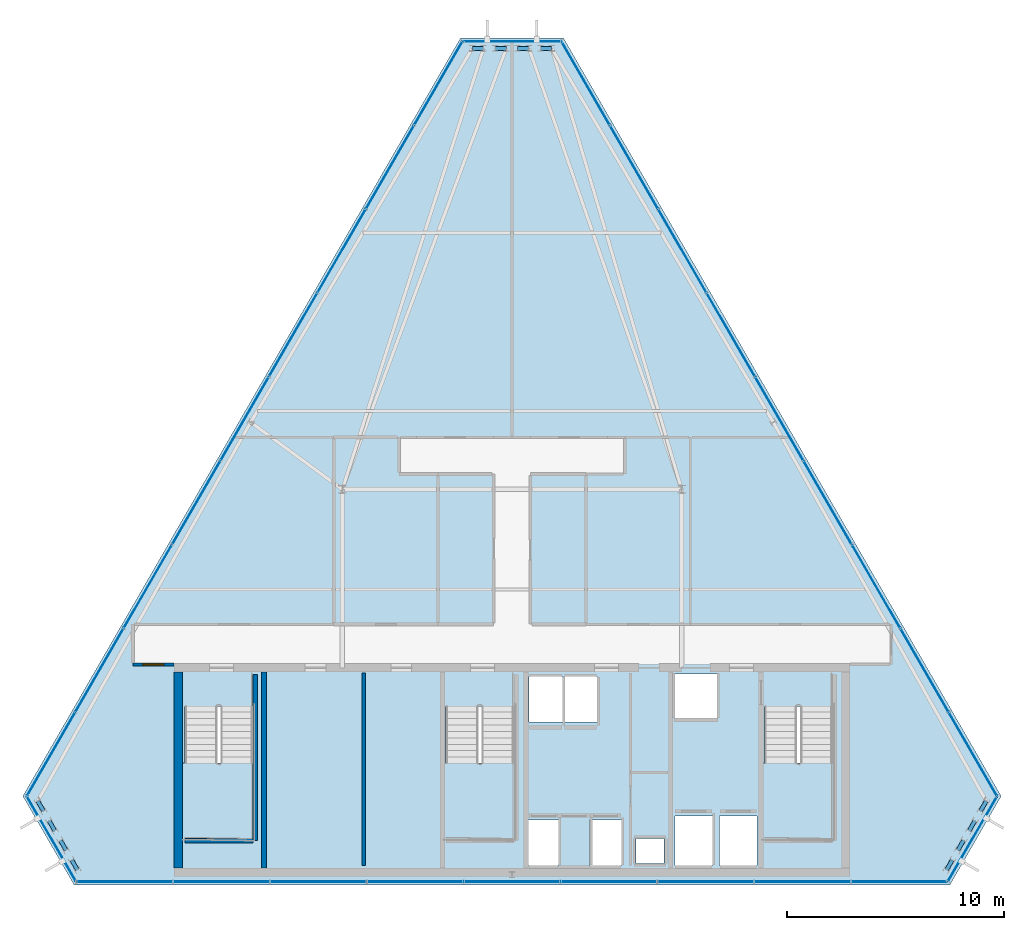
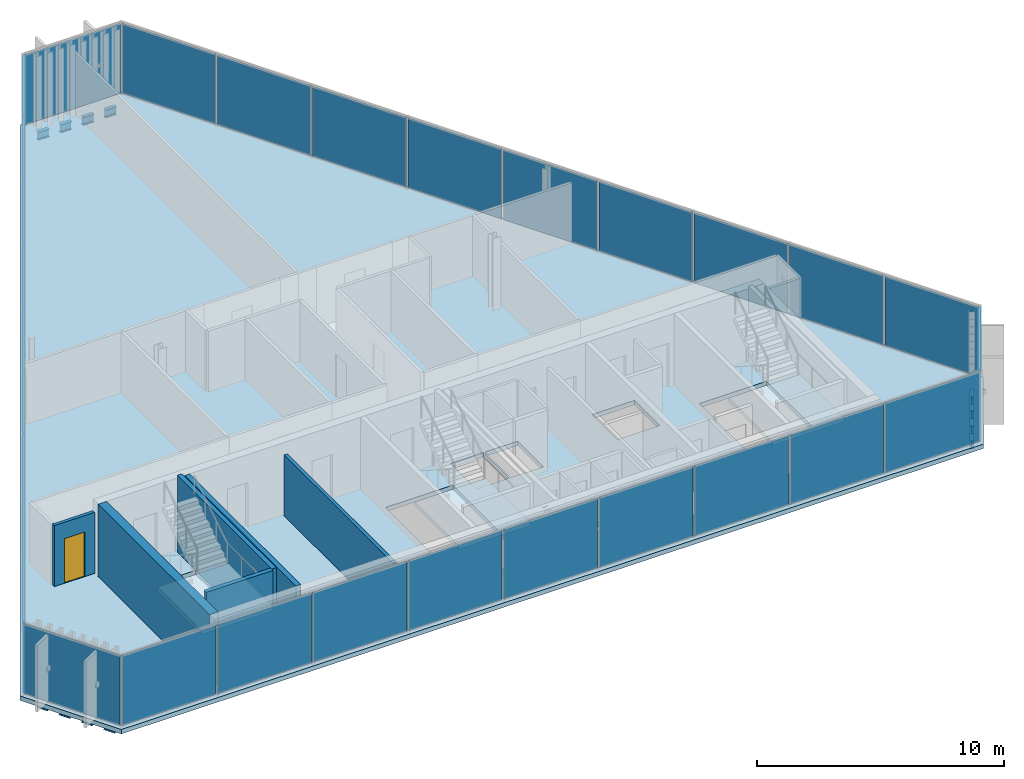
# One storey, part 26 of 32: 30 plates, 12 beams, 6 walls, 4 slabs, 1 door, 1 opening, 9 elements without a shape of their own.
"""IFC4 building model written with IfcOpenShell, lengths in metres."""

from ifc_helpers import new_model, si_unit, direction, frame, frame_2d, origin, origin_2d, place, context, subcontext, project, spatial, polyline, rectangle, i_section, outline, extrude, material, layer, layer_set, material_profile, profile_set, type_object, element, fill, aggregate, save


model = new_model("IFC4")

# Units and contexts
model_context = context("Model", 3, precision=1e-05, world=origin(), true_north=direction((0.0, 1.0)))
body_context = subcontext(model_context, "Body", "Model", "MODEL_VIEW")
ifc_project = project(units=[si_unit("LENGTHUNIT", "METRE"), si_unit("AREAUNIT", "SQUARE_METRE"), si_unit("VOLUMEUNIT", "CUBIC_METRE"), si_unit("PLANEANGLEUNIT", "RADIAN"), si_unit("MASSUNIT", "GRAM", prefix="KILO")], contexts=[model_context])

# Site, building, storey
site_placement = place(None, origin())
site = spatial("IfcSite", under=ifc_project, at=site_placement, CompositionType="ELEMENT")
building_placement = place(site_placement, origin())
building = spatial("IfcBuilding", under=site, at=building_placement, Name="Ndaravel Arena Tower", CompositionType="ELEMENT")
storey_placement = place(building_placement, frame((0.0, 0.0, 287.10009765625)))
storey = spatial("IfcBuildingStorey", under=building, at=storey_placement, Name="L70", CompositionType="ELEMENT", Elevation=287.10009765625)

# Beams
ifc_material_1 = material(Name="Steel S355", Category="steel")
ifc_material_profile = material_profile(ifc_material_1, i_section(OverallWidth=0.179931640625, OverallDepth=0.39990234375, WebThickness=0.008544921875, FlangeThickness=0.013427734375, FilletRadius=0.02099609375, at=origin_2d()), Name="IPE 400")
ifc_profile_set = profile_set([ifc_material_profile], Name="Steel S355")
beam_type = type_object("IfcBeamType", Name="BM-SPAN-IPE400", PredefinedType="SPANDREL", material=ifc_profile_set)
beam_1_placement = place(storey_placement, frame((61.98095703125, 5.7060546875, -0.420166015625), z_axis=(0.499762962979, 0.866162213927, 0.0), x_axis=(-0.866162213927, 0.499762962979, 0.0)))
element("IfcBeam", 1, at=beam_1_placement, inside=storey, type_object=beam_type, Name="L70 Perimeter Spandrel Beam SP-02", PredefinedType="SPANDREL", context=body_context, shape_type="SweptSolid", body=[
    extrude(i_section(OverallWidth=0.179931640625, OverallDepth=0.39990234375, WebThickness=0.008544921875, FlangeThickness=0.013427734375, FilletRadius=0.02099609375, at=origin_2d()), origin(), (0.0, 0.0, 1.0), 0.521728515625),
])
for number, where, z_axis, x_axis, name in (
    (2, (62.502685546875, 6.610107421875, -0.420166015625), (0.500113907867, 0.865959629058, 0.0), (-0.865959629058, 0.500113907867, 0.0), "L70 Perimeter Spandrel Beam SP-04"),
    (3, (63.024658203125, 7.513916015625, -0.420166015625), (0.500113907867, 0.865959629058, 0.0), (-0.865959629058, 0.500113907867, 0.0), "L70 Perimeter Spandrel Beam SP-06"),
    (4, (63.54638671875, 8.41796875, -0.420166015625), (0.500113907867, 0.865959629058, 0.0), (-0.865959629058, 0.500113907867, 0.0), "L70 Perimeter Spandrel Beam SP-08"),
    (5, (43.82666015625, 43.477783203125, -0.420166015625), (-1.0, 0.0, 0.0), (0.0, -1.0, 0.0), "L70 Perimeter Spandrel Beam SP-11"),
    (6, (42.782958984375, 43.477783203125, -0.420166015625), (-1.0, 0.0, 0.0), (0.0, -1.0, 0.0), "L70 Perimeter Spandrel Beam SP-13"),
    (7, (41.739013671875, 43.477783203125, -0.420166015625), (-1.0, 0.0, 0.0), (0.0, -1.0, 0.0), "L70 Perimeter Spandrel Beam SP-15"),
    (8, (40.6953125, 43.477783203125, -0.420166015625), (-1.0, 0.0, 0.0), (0.0, -1.0, 0.0), "L70 Perimeter Spandrel Beam SP-17"),
    (9, (20.192626953125, 8.869873046875, -0.420166015625), (0.500113907867, -0.865959629058, 0.0), (0.865959629058, 0.500113907867, 0.0), "L70 Perimeter Spandrel Beam SP-20"),
    (10, (20.71435546875, 7.9658203125, -0.420166015625), (0.500113907867, -0.865959629058, 0.0), (0.865959629058, 0.500113907867, 0.0), "L70 Perimeter Spandrel Beam SP-22"),
    (11, (21.236328125, 7.06201171875, -0.420166015625), (0.500113907867, -0.865959629058, 0.0), (0.865959629058, 0.500113907867, 0.0), "L70 Perimeter Spandrel Beam SP-24"),
):
    element("IfcBeam", number, at=place(storey_placement, frame(where, z_axis=z_axis, x_axis=x_axis)), inside=storey, type_object=beam_type, Name=name, PredefinedType="SPANDREL", context=body_context, shape_type="SweptSolid", body=[
        extrude(i_section(OverallWidth=0.179931640625, OverallDepth=0.39990234375, WebThickness=0.008544921875, FlangeThickness=0.013427734375, FilletRadius=0.02099609375, at=origin_2d()), origin(), (0.0, 0.0, 1.0), 0.52197265625),
    ])
beam_2_placement = place(storey_placement, frame((21.75830078125, 6.157958984375, -0.420166015625), z_axis=(0.499762962979, -0.866162213927, 0.0), x_axis=(0.866162213927, 0.499762962979, 0.0)))
element("IfcBeam", 12, at=beam_2_placement, inside=storey, type_object=beam_type, Name="L70 Perimeter Spandrel Beam SP-26", PredefinedType="SPANDREL", context=body_context, shape_type="SweptSolid", body=[
    extrude(i_section(OverallWidth=0.179931640625, OverallDepth=0.39990234375, WebThickness=0.008544921875, FlangeThickness=0.013427734375, FilletRadius=0.02099609375, at=origin_2d()), origin(), (0.0, 0.0, 1.0), 0.521728515625),
])

# Curtain wall, plate
ifc_material_2 = material(Name="Aluminium", Category="aluminium")
ifc_layer_1 = layer(ifc_material_2, 0.179931640625)
ifc_layer_set_1 = layer_set([ifc_layer_1], Name="Aluminium")
curtain_wall_type_1 = type_object("IfcCurtainWallType", Name="CW-SYS-01", PredefinedType="NOTDEFINED", material=ifc_layer_set_1)
curtain_wall_1_placement = place(storey_placement, origin())
curtain_wall_1 = element("IfcCurtainWall", 13, at=curtain_wall_1_placement, inside=storey, type_object=curtain_wall_type_1, Name="L70 Faceted Crystal Curtain Wall CW-L70-E02", PredefinedType="NOTDEFINED")
ifc_material_3 = material(Name="Glazing", Category="glass")
ifc_layer_2 = layer(ifc_material_3, 0.031982421875)
ifc_layer_set_2 = layer_set([ifc_layer_2], Name="Glazing")
plate_type_1 = type_object("IfcPlateType", Name="PLT-GLZ-FRIT35", PredefinedType="CURTAIN_PANEL", material=ifc_layer_set_2)
plate_1_placement = place(storey_placement, frame((63.17138671875, 7.1279296875, 0.059814453125), z_axis=(0.0, 0.0, 1.0), x_axis=(0.499984884929, 0.866034130299, 0.0)))
plate_1 = element("IfcPlate", 14, at=plate_1_placement, type_object=plate_type_1, Name="CW-L70-E02 Vision Glass Panel 01", PredefinedType="CURTAIN_PANEL", context=body_context, shape_type="SweptSolid", body=[
    extrude(rectangle(XDim=4.464599609375, YDim=0.035888671875, at=origin_2d()), origin(), (0.0, 0.0, 1.0), 3.4599609375),
])
aggregate(curtain_wall_1, [plate_1])

curtain_wall_2_placement = place(storey_placement, origin())
curtain_wall_2 = element("IfcCurtainWall", 15, at=curtain_wall_2_placement, inside=storey, type_object=curtain_wall_type_1, Name="L70 Faceted Crystal Curtain Wall CW-L70-E04", PredefinedType="NOTDEFINED")
plate_2_placement = place(storey_placement, frame((42.0, 43.797607421875, 0.059814453125), z_axis=(0.0, 0.0, 1.0), x_axis=(-1.0, 0.0, 0.0)))
plate_2 = element("IfcPlate", 16, at=plate_2_placement, type_object=plate_type_1, Name="CW-L70-E04 Vision Glass Panel 01", PredefinedType="CURTAIN_PANEL", context=body_context, shape_type="SweptSolid", body=[
    extrude(rectangle(XDim=4.46484375, YDim=0.035888671875, at=origin_2d()), origin(), (0.0, 0.0, 1.0), 3.4599609375),
])
aggregate(curtain_wall_2, [plate_2])

ifc_material_4 = material(Name="Aluminium", Category="aluminium")
ifc_layer_3 = layer(ifc_material_4, 0.179931640625)
ifc_layer_set_3 = layer_set([ifc_layer_3], Name="Aluminium")
curtain_wall_type_2 = type_object("IfcCurtainWallType", Name="CW-SYS-02", PredefinedType="NOTDEFINED", material=ifc_layer_set_3)
curtain_wall_3_placement = place(storey_placement, origin())
curtain_wall_3 = element("IfcCurtainWall", 17, at=curtain_wall_3_placement, inside=storey, type_object=curtain_wall_type_2, Name="L70 Faceted Crystal Curtain Wall CW-L70-E06", PredefinedType="NOTDEFINED")
ifc_material_5 = material(Name="Glazing", Category="glass")
ifc_layer_4 = layer(ifc_material_5, 0.035888671875)
ifc_layer_set_4 = layer_set([ifc_layer_4], Name="Glazing")
plate_type_2 = type_object("IfcPlateType", Name="PLT-GLZ-FRIT55", PredefinedType="CURTAIN_PANEL", material=ifc_layer_set_4)
plate_3_placement = place(storey_placement, frame((20.82861328125, 7.1279296875, 0.059814453125), z_axis=(0.0, 0.0, 1.0), x_axis=(0.499984884929, -0.866034130299, 0.0)))
plate_3 = element("IfcPlate", 18, at=plate_3_placement, type_object=plate_type_2, Name="CW-L70-E06 Vision Glass Panel 01", PredefinedType="CURTAIN_PANEL", context=body_context, shape_type="SweptSolid", body=[
    extrude(rectangle(XDim=4.464599609375, YDim=0.035888671875, at=origin_2d()), origin(), (0.0, 0.0, 1.0), 3.4599609375),
])
aggregate(curtain_wall_3, [plate_3])

# Curtain wall, plates
ifc_material_6 = material(Name="Aluminium", Category="aluminium")
ifc_layer_5 = layer(ifc_material_6, 0.179931640625)
ifc_layer_set_5 = layer_set([ifc_layer_5], Name="Aluminium")
curtain_wall_type_3 = type_object("IfcCurtainWallType", Name="CW-SYS-03", PredefinedType="NOTDEFINED", material=ifc_layer_set_5)
curtain_wall_4_placement = place(storey_placement, origin())
curtain_wall_4 = element("IfcCurtainWall", 19, at=curtain_wall_4_placement, inside=storey, type_object=curtain_wall_type_3, Name="L70 Faceted Crystal Curtain Wall CW-L70-E01", PredefinedType="NOTDEFINED")
ifc_material_7 = material(Name="Glazing", Category="glass")
ifc_layer_6 = layer(ifc_material_7, 0.0400390625)
ifc_layer_set_6 = layer_set([ifc_layer_6], Name="Glazing")
plate_type_3 = type_object("IfcPlateType", Name="PLT-GLZ-LOWIRON", PredefinedType="CURTAIN_PANEL", material=ifc_layer_set_6)
plate_4_placement = place(storey_placement, frame((24.19091796875, 5.159912109375, 0.059814453125), z_axis=(0.0, 0.0, 1.0), x_axis=(1.0, 0.0, 0.0)))
plate_4 = element("IfcPlate", 20, at=plate_4_placement, type_object=plate_type_3, Name="CW-L70-E01 Vision Glass Panel 01", PredefinedType="CURTAIN_PANEL", context=body_context, shape_type="SweptSolid", body=[
    extrude(rectangle(XDim=4.372314453125, YDim=0.035888671875, at=origin_2d()), origin(), (0.0, 0.0, 1.0), 3.4599609375),
])
plate_5_placement = place(storey_placement, frame((28.643310546875, 5.159912109375, 0.059814453125), z_axis=(0.0, 0.0, 1.0), x_axis=(1.0, 0.0, 0.0)))
plate_5 = element("IfcPlate", 21, at=plate_5_placement, type_object=plate_type_3, Name="CW-L70-E01 Vision Glass Panel 02", PredefinedType="CURTAIN_PANEL", context=body_context, shape_type="SweptSolid", body=[
    extrude(rectangle(XDim=4.372314453125, YDim=0.035888671875, at=origin_2d()), origin(), (0.0, 0.0, 1.0), 3.4599609375),
])
plate_6_placement = place(storey_placement, frame((33.095458984375, 5.159912109375, 0.059814453125), z_axis=(0.0, 0.0, 1.0), x_axis=(1.0, 0.0, 0.0)))
plate_6 = element("IfcPlate", 22, at=plate_6_placement, type_object=plate_type_3, Name="CW-L70-E01 Vision Glass Panel 03", PredefinedType="CURTAIN_PANEL", context=body_context, shape_type="SweptSolid", body=[
    extrude(rectangle(XDim=4.372314453125, YDim=0.035888671875, at=origin_2d()), origin(), (0.0, 0.0, 1.0), 3.4599609375),
])
plate_7_placement = place(storey_placement, frame((37.5478515625, 5.159912109375, 0.059814453125), z_axis=(0.0, 0.0, 1.0), x_axis=(1.0, 0.0, 0.0)))
plate_7 = element("IfcPlate", 23, at=plate_7_placement, type_object=plate_type_3, Name="CW-L70-E01 Vision Glass Panel 04", PredefinedType="CURTAIN_PANEL", context=body_context, shape_type="SweptSolid", body=[
    extrude(rectangle(XDim=4.372314453125, YDim=0.035888671875, at=origin_2d()), origin(), (0.0, 0.0, 1.0), 3.4599609375),
])
plate_8_placement = place(storey_placement, frame((42.0, 5.159912109375, 0.059814453125), z_axis=(0.0, 0.0, 1.0), x_axis=(1.0, 0.0, 0.0)))
plate_8 = element("IfcPlate", 24, at=plate_8_placement, type_object=plate_type_3, Name="CW-L70-E01 Vision Glass Panel 05", PredefinedType="CURTAIN_PANEL", context=body_context, shape_type="SweptSolid", body=[
    extrude(rectangle(XDim=4.372314453125, YDim=0.035888671875, at=origin_2d()), origin(), (0.0, 0.0, 1.0), 3.4599609375),
])
plate_9_placement = place(storey_placement, frame((46.4521484375, 5.159912109375, 0.059814453125), z_axis=(0.0, 0.0, 1.0), x_axis=(1.0, 0.0, 0.0)))
plate_9 = element("IfcPlate", 25, at=plate_9_placement, type_object=plate_type_3, Name="CW-L70-E01 Vision Glass Panel 06", PredefinedType="CURTAIN_PANEL", context=body_context, shape_type="SweptSolid", body=[
    extrude(rectangle(XDim=4.372314453125, YDim=0.035888671875, at=origin_2d()), origin(), (0.0, 0.0, 1.0), 3.4599609375),
])
plate_10_placement = place(storey_placement, frame((50.904541015625, 5.159912109375, 0.059814453125), z_axis=(0.0, 0.0, 1.0), x_axis=(1.0, 0.0, 0.0)))
plate_10 = element("IfcPlate", 26, at=plate_10_placement, type_object=plate_type_3, Name="CW-L70-E01 Vision Glass Panel 07", PredefinedType="CURTAIN_PANEL", context=body_context, shape_type="SweptSolid", body=[
    extrude(rectangle(XDim=4.372314453125, YDim=0.035888671875, at=origin_2d()), origin(), (0.0, 0.0, 1.0), 3.4599609375),
])
plate_11_placement = place(storey_placement, frame((55.356689453125, 5.159912109375, 0.059814453125), z_axis=(0.0, 0.0, 1.0), x_axis=(1.0, 0.0, 0.0)))
plate_11 = element("IfcPlate", 27, at=plate_11_placement, type_object=plate_type_3, Name="CW-L70-E01 Vision Glass Panel 08", PredefinedType="CURTAIN_PANEL", context=body_context, shape_type="SweptSolid", body=[
    extrude(rectangle(XDim=4.372314453125, YDim=0.035888671875, at=origin_2d()), origin(), (0.0, 0.0, 1.0), 3.4599609375),
])
plate_12_placement = place(storey_placement, frame((59.80908203125, 5.159912109375, 0.059814453125), z_axis=(0.0, 0.0, 1.0), x_axis=(1.0, 0.0, 0.0)))
plate_12 = element("IfcPlate", 28, at=plate_12_placement, type_object=plate_type_3, Name="CW-L70-E01 Vision Glass Panel 09", PredefinedType="CURTAIN_PANEL", context=body_context, shape_type="SweptSolid", body=[
    extrude(rectangle(XDim=4.372314453125, YDim=0.035888671875, at=origin_2d()), origin(), (0.0, 0.0, 1.0), 3.4599609375),
])
aggregate(curtain_wall_4, [plate_4, plate_5, plate_6, plate_7, plate_8, plate_9, plate_10, plate_11, plate_12])

curtain_wall_5_placement = place(storey_placement, origin())
curtain_wall_5 = element("IfcCurtainWall", 29, at=curtain_wall_5_placement, inside=storey, type_object=curtain_wall_type_3, Name="L70 Faceted Crystal Curtain Wall CW-L70-E03", PredefinedType="NOTDEFINED")
plate_13_placement = place(storey_placement, frame((63.1943359375, 11.023681640625, 0.059814453125), z_axis=(0.0, 0.0, 1.0), x_axis=(-0.5, 0.866025403784, 0.0)))
plate_13 = element("IfcPlate", 30, at=plate_13_placement, type_object=plate_type_3, Name="CW-L70-E03 Vision Glass Panel 01", PredefinedType="CURTAIN_PANEL", context=body_context, shape_type="SweptSolid", body=[
    extrude(rectangle(XDim=4.372314453125, YDim=0.035888671875, at=origin_2d()), origin(), (0.0, 0.0, 1.0), 3.4599609375),
])
plate_14_placement = place(storey_placement, frame((60.96826171875, 14.87939453125, 0.059814453125), z_axis=(0.0, 0.0, 1.0), x_axis=(-0.5, 0.866025403784, 0.0)))
plate_14 = element("IfcPlate", 31, at=plate_14_placement, type_object=plate_type_3, Name="CW-L70-E03 Vision Glass Panel 02", PredefinedType="CURTAIN_PANEL", context=body_context, shape_type="SweptSolid", body=[
    extrude(rectangle(XDim=4.372314453125, YDim=0.035888671875, at=origin_2d()), origin(), (0.0, 0.0, 1.0), 3.4599609375),
])
plate_15_placement = place(storey_placement, frame((58.7421875, 18.7353515625, 0.059814453125), z_axis=(0.0, 0.0, 1.0), x_axis=(-0.5, 0.866025403784, 0.0)))
plate_15 = element("IfcPlate", 32, at=plate_15_placement, type_object=plate_type_3, Name="CW-L70-E03 Vision Glass Panel 03", PredefinedType="CURTAIN_PANEL", context=body_context, shape_type="SweptSolid", body=[
    extrude(rectangle(XDim=4.372314453125, YDim=0.035888671875, at=origin_2d()), origin(), (0.0, 0.0, 1.0), 3.4599609375),
])
plate_16_placement = place(storey_placement, frame((56.51611328125, 22.591064453125, 0.059814453125), z_axis=(0.0, 0.0, 1.0), x_axis=(-0.5, 0.866025403784, 0.0)))
plate_16 = element("IfcPlate", 33, at=plate_16_placement, type_object=plate_type_3, Name="CW-L70-E03 Vision Glass Panel 04", PredefinedType="CURTAIN_PANEL", context=body_context, shape_type="SweptSolid", body=[
    extrude(rectangle(XDim=4.372314453125, YDim=0.035888671875, at=origin_2d()), origin(), (0.0, 0.0, 1.0), 3.4599609375),
])
plate_17_placement = place(storey_placement, frame((54.289794921875, 26.44677734375, 0.059814453125), z_axis=(0.0, 0.0, 1.0), x_axis=(-0.5, 0.866025403784, 0.0)))
plate_17 = element("IfcPlate", 34, at=plate_17_placement, type_object=plate_type_3, Name="CW-L70-E03 Vision Glass Panel 05", PredefinedType="CURTAIN_PANEL", context=body_context, shape_type="SweptSolid", body=[
    extrude(rectangle(XDim=4.372314453125, YDim=0.035888671875, at=origin_2d()), origin(), (0.0, 0.0, 1.0), 3.4599609375),
])
plate_18_placement = place(storey_placement, frame((52.063720703125, 30.302490234375, 0.059814453125), z_axis=(0.0, 0.0, 1.0), x_axis=(-0.5, 0.866025403784, 0.0)))
plate_18 = element("IfcPlate", 35, at=plate_18_placement, type_object=plate_type_3, Name="CW-L70-E03 Vision Glass Panel 06", PredefinedType="CURTAIN_PANEL", context=body_context, shape_type="SweptSolid", body=[
    extrude(rectangle(XDim=4.372314453125, YDim=0.035888671875, at=origin_2d()), origin(), (0.0, 0.0, 1.0), 3.4599609375),
])
plate_19_placement = place(storey_placement, frame((49.837646484375, 34.158203125, 0.059814453125), z_axis=(0.0, 0.0, 1.0), x_axis=(-0.5, 0.866025403784, 0.0)))
plate_19 = element("IfcPlate", 36, at=plate_19_placement, type_object=plate_type_3, Name="CW-L70-E03 Vision Glass Panel 07", PredefinedType="CURTAIN_PANEL", context=body_context, shape_type="SweptSolid", body=[
    extrude(rectangle(XDim=4.372314453125, YDim=0.035888671875, at=origin_2d()), origin(), (0.0, 0.0, 1.0), 3.4599609375),
])
plate_20_placement = place(storey_placement, frame((47.611572265625, 38.01416015625, 0.059814453125), z_axis=(0.0, 0.0, 1.0), x_axis=(-0.5, 0.866025403784, 0.0)))
plate_20 = element("IfcPlate", 37, at=plate_20_placement, type_object=plate_type_3, Name="CW-L70-E03 Vision Glass Panel 08", PredefinedType="CURTAIN_PANEL", context=body_context, shape_type="SweptSolid", body=[
    extrude(rectangle(XDim=4.372314453125, YDim=0.035888671875, at=origin_2d()), origin(), (0.0, 0.0, 1.0), 3.4599609375),
])
plate_21_placement = place(storey_placement, frame((45.385498046875, 41.869873046875, 0.059814453125), z_axis=(0.0, 0.0, 1.0), x_axis=(-0.5, 0.866025403784, 0.0)))
plate_21 = element("IfcPlate", 38, at=plate_21_placement, type_object=plate_type_3, Name="CW-L70-E03 Vision Glass Panel 09", PredefinedType="CURTAIN_PANEL", context=body_context, shape_type="SweptSolid", body=[
    extrude(rectangle(XDim=4.372314453125, YDim=0.035888671875, at=origin_2d()), origin(), (0.0, 0.0, 1.0), 3.4599609375),
])
aggregate(curtain_wall_5, [plate_13, plate_14, plate_15, plate_16, plate_17, plate_18, plate_19, plate_20, plate_21])

curtain_wall_6_placement = place(storey_placement, origin())
curtain_wall_6 = element("IfcCurtainWall", 39, at=curtain_wall_6_placement, inside=storey, type_object=curtain_wall_type_3, Name="L70 Faceted Crystal Curtain Wall CW-L70-E05", PredefinedType="NOTDEFINED")
plate_22_placement = place(storey_placement, frame((38.614501953125, 41.869873046875, 0.059814453125), z_axis=(0.0, 0.0, 1.0), x_axis=(-0.5, -0.866025403784, 0.0)))
plate_22 = element("IfcPlate", 40, at=plate_22_placement, type_object=plate_type_3, Name="CW-L70-E05 Vision Glass Panel 01", PredefinedType="CURTAIN_PANEL", context=body_context, shape_type="SweptSolid", body=[
    extrude(rectangle(XDim=4.372314453125, YDim=0.035888671875, at=origin_2d()), origin(), (0.0, 0.0, 1.0), 3.4599609375),
])
plate_23_placement = place(storey_placement, frame((36.388427734375, 38.01416015625, 0.059814453125), z_axis=(0.0, 0.0, 1.0), x_axis=(-0.5, -0.866025403784, 0.0)))
plate_23 = element("IfcPlate", 41, at=plate_23_placement, type_object=plate_type_3, Name="CW-L70-E05 Vision Glass Panel 02", PredefinedType="CURTAIN_PANEL", context=body_context, shape_type="SweptSolid", body=[
    extrude(rectangle(XDim=4.372314453125, YDim=0.035888671875, at=origin_2d()), origin(), (0.0, 0.0, 1.0), 3.4599609375),
])
plate_24_placement = place(storey_placement, frame((34.162353515625, 34.158203125, 0.059814453125), z_axis=(0.0, 0.0, 1.0), x_axis=(-0.5, -0.866025403784, 0.0)))
plate_24 = element("IfcPlate", 42, at=plate_24_placement, type_object=plate_type_3, Name="CW-L70-E05 Vision Glass Panel 03", PredefinedType="CURTAIN_PANEL", context=body_context, shape_type="SweptSolid", body=[
    extrude(rectangle(XDim=4.372314453125, YDim=0.035888671875, at=origin_2d()), origin(), (0.0, 0.0, 1.0), 3.4599609375),
])
plate_25_placement = place(storey_placement, frame((31.936279296875, 30.302490234375, 0.059814453125), z_axis=(0.0, 0.0, 1.0), x_axis=(-0.5, -0.866025403784, 0.0)))
plate_25 = element("IfcPlate", 43, at=plate_25_placement, type_object=plate_type_3, Name="CW-L70-E05 Vision Glass Panel 04", PredefinedType="CURTAIN_PANEL", context=body_context, shape_type="SweptSolid", body=[
    extrude(rectangle(XDim=4.372314453125, YDim=0.035888671875, at=origin_2d()), origin(), (0.0, 0.0, 1.0), 3.4599609375),
])
plate_26_placement = place(storey_placement, frame((29.710205078125, 26.44677734375, 0.059814453125), z_axis=(0.0, 0.0, 1.0), x_axis=(-0.5, -0.866025403784, 0.0)))
plate_26 = element("IfcPlate", 44, at=plate_26_placement, type_object=plate_type_3, Name="CW-L70-E05 Vision Glass Panel 05", PredefinedType="CURTAIN_PANEL", context=body_context, shape_type="SweptSolid", body=[
    extrude(rectangle(XDim=4.372314453125, YDim=0.035888671875, at=origin_2d()), origin(), (0.0, 0.0, 1.0), 3.4599609375),
])
plate_27_placement = place(storey_placement, frame((27.48388671875, 22.591064453125, 0.059814453125), z_axis=(0.0, 0.0, 1.0), x_axis=(-0.5, -0.866025403784, 0.0)))
plate_27 = element("IfcPlate", 45, at=plate_27_placement, type_object=plate_type_3, Name="CW-L70-E05 Vision Glass Panel 06", PredefinedType="CURTAIN_PANEL", context=body_context, shape_type="SweptSolid", body=[
    extrude(rectangle(XDim=4.372314453125, YDim=0.035888671875, at=origin_2d()), origin(), (0.0, 0.0, 1.0), 3.4599609375),
])
plate_28_placement = place(storey_placement, frame((25.2578125, 18.7353515625, 0.059814453125), z_axis=(0.0, 0.0, 1.0), x_axis=(-0.5, -0.866025403784, 0.0)))
plate_28 = element("IfcPlate", 46, at=plate_28_placement, type_object=plate_type_3, Name="CW-L70-E05 Vision Glass Panel 07", PredefinedType="CURTAIN_PANEL", context=body_context, shape_type="SweptSolid", body=[
    extrude(rectangle(XDim=4.372314453125, YDim=0.035888671875, at=origin_2d()), origin(), (0.0, 0.0, 1.0), 3.4599609375),
])
plate_29_placement = place(storey_placement, frame((23.03173828125, 14.87939453125, 0.059814453125), z_axis=(0.0, 0.0, 1.0), x_axis=(-0.5, -0.866025403784, 0.0)))
plate_29 = element("IfcPlate", 47, at=plate_29_placement, type_object=plate_type_3, Name="CW-L70-E05 Vision Glass Panel 08", PredefinedType="CURTAIN_PANEL", context=body_context, shape_type="SweptSolid", body=[
    extrude(rectangle(XDim=4.372314453125, YDim=0.035888671875, at=origin_2d()), origin(), (0.0, 0.0, 1.0), 3.4599609375),
])
plate_30_placement = place(storey_placement, frame((20.8056640625, 11.023681640625, 0.059814453125), z_axis=(0.0, 0.0, 1.0), x_axis=(-0.5, -0.866025403784, 0.0)))
plate_30 = element("IfcPlate", 48, at=plate_30_placement, type_object=plate_type_3, Name="CW-L70-E05 Vision Glass Panel 09", PredefinedType="CURTAIN_PANEL", context=body_context, shape_type="SweptSolid", body=[
    extrude(rectangle(XDim=4.372314453125, YDim=0.035888671875, at=origin_2d()), origin(), (0.0, 0.0, 1.0), 3.4599609375),
])
aggregate(curtain_wall_6, [plate_22, plate_23, plate_24, plate_25, plate_26, plate_27, plate_28, plate_29, plate_30])

# Stair, slab
ifc_material_8 = material(Name="Concrete C40/50", Category="concrete")
stair_type = type_object("IfcStairType", Name="STAIR-CORE-HT", PredefinedType="HALF_TURN_STAIR", material=ifc_material_8)
stair_1_placement = place(storey_placement, origin())
stair_1 = element("IfcStair", 49, at=stair_1_placement, inside=storey, type_object=stair_type, Name="L70 ST-1", PredefinedType="HALF_TURN_STAIR")
ifc_material_9 = material(Name="Concrete C40/50", Category="concrete")
ifc_layer_7 = layer(ifc_material_9, 0.199951171875)
ifc_layer_set_7 = layer_set([ifc_layer_7], Name="Concrete C40/50")
slab_type_1 = type_object("IfcSlabType", Name="SLAB-STAIR-LANDING", PredefinedType="LANDING", material=ifc_layer_set_7)
slab_1_placement = place(storey_placement, frame((0.0, 0.0, 1.699951171875)))
slab_1 = element("IfcSlab", 50, at=slab_1_placement, type_object=slab_type_1, Name="ST-1 landing 1", PredefinedType="LANDING", context=body_context, shape_type="SweptSolid", body=[
    extrude(outline(polyline([(26.81005859375, 10.6298828125), (26.81005859375, 7.070068359375), (30.169921875, 7.070068359375), (30.169921875, 10.6298828125), (26.81005859375, 10.6298828125)])), origin(), (0.0, 0.0, 1.0), 0.199951171875),
])
aggregate(stair_1, [slab_1])

stair_2_placement = place(storey_placement, origin())
stair_2 = element("IfcStair", 51, at=stair_2_placement, inside=storey, type_object=stair_type, Name="L70 ST-2", PredefinedType="HALF_TURN_STAIR")
slab_2_placement = place(storey_placement, frame((0.0, 0.0, 1.699951171875)))
slab_2 = element("IfcSlab", 52, at=slab_2_placement, type_object=slab_type_1, Name="ST-2 landing 1", PredefinedType="LANDING", context=body_context, shape_type="SweptSolid", body=[
    extrude(outline(polyline([(38.81005859375, 10.6298828125), (38.81005859375, 7.070068359375), (42.169921875, 7.070068359375), (42.169921875, 10.6298828125), (38.81005859375, 10.6298828125)])), origin(), (0.0, 0.0, 1.0), 0.199951171875),
])
aggregate(stair_2, [slab_2])

stair_3_placement = place(storey_placement, origin())
stair_3 = element("IfcStair", 53, at=stair_3_placement, inside=storey, type_object=stair_type, Name="L70 ST-3", PredefinedType="HALF_TURN_STAIR")
slab_3_placement = place(storey_placement, frame((0.0, 0.0, 1.699951171875)))
slab_3 = element("IfcSlab", 54, at=slab_3_placement, type_object=slab_type_1, Name="ST-3 landing 1", PredefinedType="LANDING", context=body_context, shape_type="SweptSolid", body=[
    extrude(outline(polyline([(53.4599609375, 10.6298828125), (53.4599609375, 7.070068359375), (56.820068359375, 7.070068359375), (56.820068359375, 10.6298828125), (53.4599609375, 10.6298828125)])), origin(), (0.0, 0.0, 1.0), 0.199951171875),
])
aggregate(stair_3, [slab_3])

# Slab
ifc_material_10 = material(Name="Concrete C40/50", Category="concrete")
ifc_layer_8 = layer(ifc_material_10, 0.219970703125)
ifc_layer_set_8 = layer_set([ifc_layer_8], Name="Concrete C40/50")
slab_type_2 = type_object("IfcSlabType", Name="SLAB-TWR-220", PredefinedType="FLOOR", material=ifc_layer_set_8)
slab_4_placement = place(storey_placement, frame((0.0, 0.0, -0.22021484375)))
element("IfcSlab", 55, at=slab_4_placement, inside=storey, type_object=slab_type_2, Name="L70 Structural Floor Slab", PredefinedType="FLOOR", context=body_context, shape_type="SweptSolid", body=[
    extrude(outline(polyline([(19.5078125, 9.095947265625), (21.87255859375, 5.0), (62.12744140625, 5.0), (64.4921875, 9.095947265625), (44.36474609375, 43.957763671875), (39.63525390625, 43.957763671875), (19.5078125, 9.095947265625)]), holes=[polyline([(26.949951171875, 13.215087890625), (26.949951171875, 7.14990234375), (30.090087890625, 7.14990234375), (30.090087890625, 13.215087890625), (26.949951171875, 13.215087890625)]), polyline([(38.949951171875, 13.215087890625), (38.949951171875, 7.14990234375), (42.090087890625, 7.14990234375), (42.090087890625, 13.215087890625), (38.949951171875, 13.215087890625)]), polyline([(53.60009765625, 13.215087890625), (53.60009765625, 7.14990234375), (56.739990234375, 7.14990234375), (56.739990234375, 13.215087890625), (53.60009765625, 13.215087890625)]), polyline([(42.659912109375, 5.909912109375), (44.139892578125, 5.909912109375), (44.139892578125, 7.989990234375), (42.659912109375, 7.989990234375), (42.659912109375, 5.909912109375)]), polyline([(45.56005859375, 5.909912109375), (47.0400390625, 5.909912109375), (47.0400390625, 7.989990234375), (45.56005859375, 7.989990234375), (45.56005859375, 5.909912109375)]), polyline([(42.784912109375, 12.510009765625), (44.31494140625, 12.510009765625), (44.31494140625, 14.590087890625), (42.784912109375, 14.590087890625), (42.784912109375, 12.510009765625)]), polyline([(44.385009765625, 12.510009765625), (45.9150390625, 12.510009765625), (45.9150390625, 14.590087890625), (44.385009765625, 14.590087890625), (44.385009765625, 12.510009765625)]), polyline([(49.485107421875, 5.909912109375), (51.215087890625, 5.909912109375), (51.215087890625, 8.18994140625), (49.485107421875, 8.18994140625), (49.485107421875, 5.909912109375)]), polyline([(51.534912109375, 5.909912109375), (53.264892578125, 5.909912109375), (53.264892578125, 8.18994140625), (51.534912109375, 8.18994140625), (51.534912109375, 5.909912109375)]), polyline([(49.4599609375, 12.68505859375), (51.43994140625, 12.68505859375), (51.43994140625, 14.715087890625), (49.4599609375, 14.715087890625), (49.4599609375, 12.68505859375)]), polyline([(47.699951171875, 6.0), (49.0, 6.0), (49.0, 7.139892578125), (47.699951171875, 7.139892578125), (47.699951171875, 6.0)])]), origin(), (0.0, 0.0, 1.0), 0.22021484375),
])

# Walls
ifc_material_11 = material(Name="Gypsum", Category="gypsum")
ifc_layer_9 = layer(ifc_material_11, 0.14990234375)
ifc_layer_set_9 = layer_set([ifc_layer_9], Name="Gypsum")
wall_type_1 = type_object("IfcWallType", Name="WALL-COMP-150", PredefinedType="PARTITIONING", material=ifc_layer_set_9)
wall_1_placement = place(storey_placement, frame((35.179931640625, 5.89990234375, 0.0), z_axis=(0.0, 0.0, 1.0), x_axis=(0.0, 1.0, 0.0)))
element("IfcWall", 56, at=wall_1_placement, inside=storey, type_object=wall_type_1, Name="L70 High-Zone Core Divider 1", PredefinedType="PARTITIONING", context=body_context, shape_type="SweptSolid", body=[
    extrude(rectangle(XDim=8.85009765625, YDim=0.14990234375, at=frame_2d((4.425048828125, 0.0))), origin(), (0.0, 0.0, 1.0), 3.010498046875),
])
ifc_material_12 = material(Name="Concrete C50/60", Category="concrete")
ifc_layer_10 = layer(ifc_material_12, 0.219970703125)
ifc_layer_set_10 = layer_set([ifc_layer_10], Name="Concrete C50/60")
wall_type_2 = type_object("IfcWallType", Name="WALL-CORE-220", PredefinedType="SOLIDWALL", material=ifc_layer_set_10)
wall_2_placement = place(storey_placement, frame((30.60009765625, 5.800048828125, 0.0), z_axis=(0.0, 0.0, 1.0), x_axis=(0.0, 1.0, 0.0)))
element("IfcWall", 57, at=wall_2_placement, inside=storey, type_object=wall_type_2, Name="L70 Core Web Shear Wall 1", PredefinedType="SOLIDWALL", context=body_context, shape_type="SweptSolid", body=[
    extrude(rectangle(XDim=9.0, YDim=0.219970703125, at=frame_2d((4.5, 0.0))), origin(), (0.0, 0.0, 1.0), 3.579833984375),
])
ifc_material_13 = material(Name="Concrete C50/60", Category="concrete")
ifc_layer_11 = layer(ifc_material_13, 0.39990234375)
ifc_layer_set_11 = layer_set([ifc_layer_11], Name="Concrete C50/60")
wall_type_3 = type_object("IfcWallType", Name="WALL-CORE-400", PredefinedType="SOLIDWALL", material=ifc_layer_set_11)
wall_3_placement = place(storey_placement, frame((26.64990234375, 5.800048828125, 0.0), z_axis=(0.0, 0.0, 1.0), x_axis=(0.0, 1.0, 0.0)))
element("IfcWall", 58, at=wall_3_placement, inside=storey, type_object=wall_type_3, Name="L70 Core West Shear Wall", PredefinedType="SOLIDWALL", context=body_context, shape_type="SweptSolid", body=[
    extrude(rectangle(XDim=9.0, YDim=0.39990234375, at=frame_2d((4.5, 0.0))), origin(), (0.0, 0.0, 1.0), 3.579833984375),
])
ifc_material_14 = material(Name="Concrete C40/50", Category="concrete")
ifc_layer_12 = layer(ifc_material_14, 0.199951171875)
ifc_layer_set_12 = layer_set([ifc_layer_12], Name="Concrete C40/50")
wall_type_4 = type_object("IfcWallType", Name="WALL-SHAFT-200", PredefinedType="SOLIDWALL", material=ifc_layer_set_12)
wall_4_placement = place(storey_placement, frame((30.18994140625, 14.699951171875, 0.0), z_axis=(0.0, 0.0, 1.0), x_axis=(0.0, -1.0, 0.0)))
element("IfcWall", 59, at=wall_4_placement, inside=storey, type_object=wall_type_4, Name="L70 ST-1 Structural Shaft Wall Right", PredefinedType="SOLIDWALL", context=body_context, shape_type="SweptSolid", body=[
    extrude(rectangle(XDim=7.64990234375, YDim=0.199951171875, at=frame_2d((3.824951171875, 0.0))), origin(), (0.0, 0.0, 1.0), 3.7998046875),
])
wall_5_placement = place(storey_placement, frame((26.969970703125, 7.050048828125, 0.0), z_axis=(0.0, 0.0, 1.0), x_axis=(1.0, 0.0, 0.0)))
element("IfcWall", 60, at=wall_5_placement, inside=storey, type_object=wall_type_4, Name="L70 ST-1 Structural Shaft Wall Far", PredefinedType="SOLIDWALL", context=body_context, shape_type="SweptSolid", body=[
    extrude(rectangle(XDim=3.114990234375, YDim=0.199951171875, at=frame_2d((1.5576171875, 0.0))), origin(), (0.0, 0.0, 1.0), 3.7998046875),
])

# Wall, opening, door
ifc_material_15 = material(Name="Masonry", Category="masonry")
ifc_layer_13 = layer(ifc_material_15, 0.14990234375)
ifc_layer_set_13 = layer_set([ifc_layer_13], Name="Masonry")
wall_type_5 = type_object("IfcWallType", Name="WALL-WET-150", PredefinedType="PARTITIONING", material=ifc_layer_set_13)
wall_6_placement = place(storey_placement, frame((26.449951171875, 15.14990234375, 0.0), z_axis=(0.0, 0.0, 1.0), x_axis=(-1.0, 0.0, 0.0)))
wall_6 = element("IfcWall", 61, at=wall_6_placement, inside=storey, type_object=wall_type_5, Name="L70 Interior Partition 003", PredefinedType="PARTITIONING", context=body_context, shape_type="SweptSolid", body=[
    extrude(rectangle(XDim=1.884033203125, YDim=0.14990234375, at=frame_2d((0.94189453125, 0.0))), origin(), (0.0, 0.0, 1.0), 3.010498046875),
])
opening_placement = place(wall_6_placement, frame((0.467041015625, 0.0, 0.0)))
opening = element("IfcOpeningElement", 62, at=opening_placement, cuts=wall_6, Name="Opening FD-03", PredefinedType="OPENING", context=body_context, shape_type="SweptSolid", body=[
    extrude(rectangle(XDim=0.949951171875, YDim=2.199951171875, at=frame_2d((0.47509765625, 1.10009765625))), frame((0.0, 0.074951171875, 0.0), z_axis=(0.0, -1.0, 0.0), x_axis=(1.0, 0.0, 0.0)), (0.0, 0.0, 1.0), 0.14990234375),
])
ifc_material_16 = material(Name="Steel S355", Category="steel")
door_type = type_object("IfcDoorType", Name="DT-11-CORE-950", OperationType="SINGLE_SWING_LEFT", PredefinedType="DOOR", material=ifc_material_16)
door_placement = place(opening_placement, origin())
door = element("IfcDoor", 63, at=door_placement, inside=storey, type_object=door_type, Name="L70 Staff Espresso Kitchen Door", OperationType="SINGLE_SWING_LEFT", OverallHeight=2.199951171875, OverallWidth=0.949951171875, PredefinedType="DOOR", context=body_context, shape_type="SweptSolid", body=[
    extrude(rectangle(XDim=0.949951171875, YDim=2.199951171875, at=frame_2d((0.47509765625, 1.10009765625))), frame((0.0, 0.02490234375, 0.0), z_axis=(0.0, -1.0, 0.0), x_axis=(1.0, 0.0, 0.0)), (0.0, 0.0, 1.0), 0.050048828125),
])
fill(opening, door)

save(model, "model.ifc")
